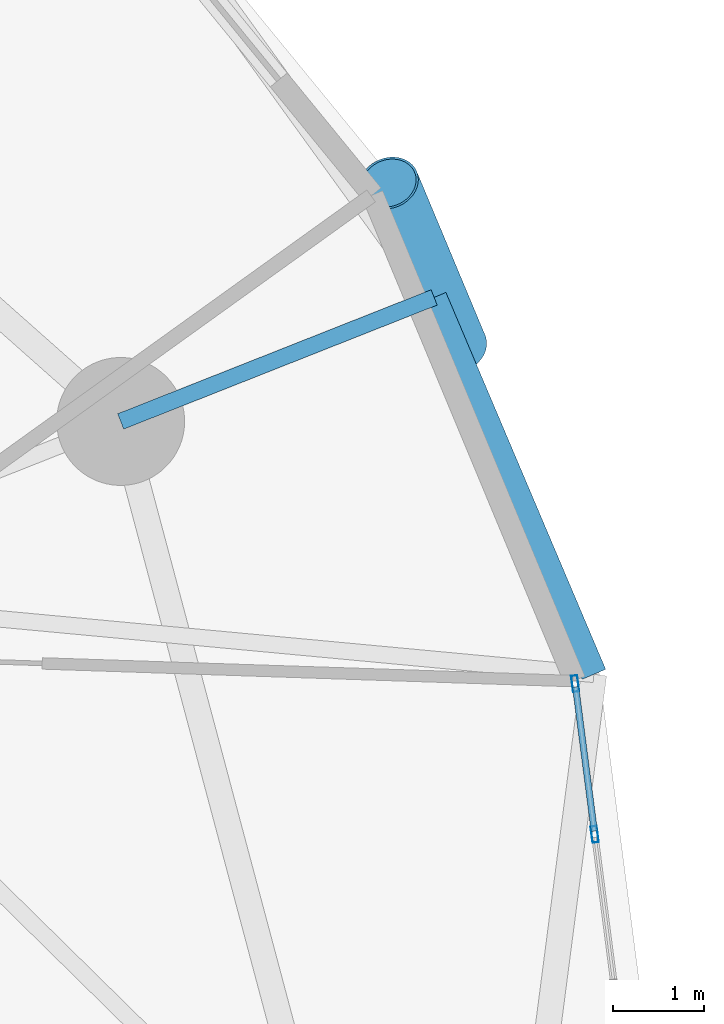
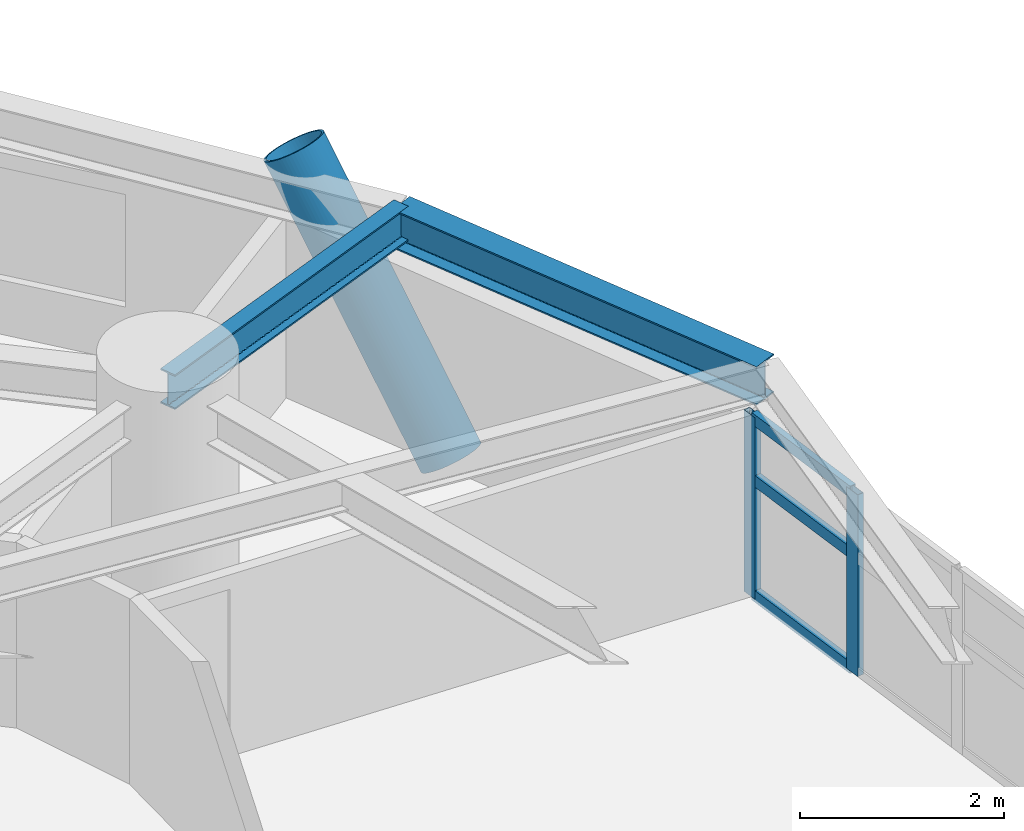
# One storey, part 4 of 17: 6 members, 2 beams, 1 element without a shape of its own.
"""IFC4 building model written with IfcOpenShell, lengths in metres."""

import ifcopenshell
import ifcopenshell.guid

model = None  # the IFC model being written
_history = None  # IfcOwnerHistory: only IFC2X3 demands one
_inside = {}  # id of a spatial element -> (the spatial element, [elements in it])
_under = {}  # id of a project, library or spatial element -> (it, [spatial elements below it])
_declared = {}  # id of a project -> (the project, [libraries it declares])
_typed = {}  # id of a type object -> (the type object, [elements of that type])
_made_of = {}  # id of a material, layer set ... -> (it, [elements and type objects made of it])


def new_model(schema):
    """Start an empty IFC model of exactly this schema.

    Asked for "IFC4X3", IfcOpenShell would pick the latest addendum, in which some entities
    have other attributes; the version numbers below select the first issue.
    IFC2X3 requires an IfcOwnerHistory on every rooted entity: one is made here for all.
    """
    global model, _history
    if schema == "IFC4X3":
        model = ifcopenshell.file(schema_version=(4, 3, 0, 0))
    else:
        model = ifcopenshell.file(schema=schema)
    _inside.clear()
    _under.clear()
    _declared.clear()
    _typed.clear()
    _made_of.clear()
    _history = None
    if model.schema == "IFC2X3":
        org = make("IfcOrganization", Name="unknown")
        user = make(
            "IfcPersonAndOrganization",
            ThePerson=make("IfcPerson", FamilyName="unknown"),
            TheOrganization=org,
        )
        app = make(
            "IfcApplication",
            ApplicationDeveloper=org,
            Version="unknown",
            ApplicationFullName="unknown",
            ApplicationIdentifier="unknown",
        )
        _history = make(
            "IfcOwnerHistory",
            OwningUser=user,
            OwningApplication=app,
            ChangeAction="ADDED",
            CreationDate=0,
        )
    return model


def make(cls, **values):
    """One entity of the class cls with the attributes given. An attribute that is None is left unset."""
    return model.create_entity(
        cls, **{name: value for name, value in values.items() if value is not None}
    )


def rooted(cls, **values):
    """An entity with a GlobalId (a new one), such as an element, a storey or a relation."""
    return make(cls, GlobalId=ifcopenshell.guid.new(), OwnerHistory=_history, **values)


def si_unit(unit_type, name, prefix=None):
    """IfcSIUnit, for example si_unit("LENGTHUNIT", "METRE", prefix="MILLI")."""
    return make("IfcSIUnit", UnitType=unit_type, Prefix=prefix, Name=name)


def assignment(units):
    """IfcUnitAssignment: the units of a project."""
    return None if units is None else make("IfcUnitAssignment", Units=units)


def point(xyz):
    """IfcCartesianPoint."""
    return None if xyz is None else make("IfcCartesianPoint", Coordinates=xyz)


def direction(xyz):
    """IfcDirection."""
    return None if xyz is None else make("IfcDirection", DirectionRatios=xyz)


def frame(location, z_axis=None, x_axis=None):
    """IfcAxis2Placement3D, a coordinate frame: its origin and axes. An axis left out is left unset."""
    return make(
        "IfcAxis2Placement3D",
        Location=point(location),
        Axis=direction(z_axis),
        RefDirection=direction(x_axis),
    )


def frame_2d(location, x_axis=None):
    """IfcAxis2Placement2D, a coordinate frame in the plane: its origin and x axis."""
    return make(
        "IfcAxis2Placement2D", Location=point(location), RefDirection=direction(x_axis)
    )


def origin():
    """The frame at (0, 0, 0) with its axes left unset."""
    return frame((0.0, 0.0, 0.0))


def origin_2d():
    """The frame at (0, 0) in the plane with its x axis left unset."""
    return frame_2d((0.0, 0.0))


def place(relative_to, where):
    """IfcLocalPlacement: puts the frame where relative to a parent placement (None: the world)."""
    return make(
        "IfcLocalPlacement", PlacementRelTo=relative_to, RelativePlacement=where
    )


def context(
    kind, dimensions, precision=None, world=None, true_north=None, identifier=None
):
    """IfcGeometricRepresentationContext, for example the 3D "Model" context."""
    return make(
        "IfcGeometricRepresentationContext",
        ContextIdentifier=identifier,
        ContextType=kind,
        CoordinateSpaceDimension=dimensions,
        Precision=precision,
        WorldCoordinateSystem=world,
        TrueNorth=true_north,
    )


def subcontext(parent, identifier, kind, view, scale=None):
    """IfcGeometricRepresentationSubContext, for example "Body" below "Model"."""
    return make(
        "IfcGeometricRepresentationSubContext",
        ContextIdentifier=identifier,
        ContextType=kind,
        ParentContext=parent,
        TargetScale=scale,
        TargetView=view,
    )


def project(units=None, contexts=None):
    """IfcProject with its units and contexts."""
    return rooted(
        "IfcProject",
        Name="project",
        RepresentationContexts=contexts,
        UnitsInContext=assignment(units),
    )


def spatial(cls, under=None, at=None, **own):
    """A site, building, storey or space (cls), placed at a placement, below another one or the project."""
    s = rooted(cls, ObjectPlacement=at, **own)
    if under is not None:
        _under.setdefault(under.id(), (under, []))[1].append(s)
    return s


def profile(cls, at=None, kind="AREA", **sizes):
    """A parametric profile (cls). Its sizes go by their IFC names, for example OverallWidth=200.0."""
    return make(cls, ProfileType=kind, Position=at, **sizes)


def hollow_rectangle(**sizes):
    """IfcRectangleHollowProfileDef."""
    return profile("IfcRectangleHollowProfileDef", **sizes)


def hollow_circle(**sizes):
    """IfcCircleHollowProfileDef."""
    return profile("IfcCircleHollowProfileDef", **sizes)


def i_section(**sizes):
    """IfcIShapeProfileDef."""
    return profile("IfcIShapeProfileDef", **sizes)


def extrude(swept, where, along, depth):
    """IfcExtrudedAreaSolid: the profile swept, set in the frame where, extruded along a direction by depth."""
    return make(
        "IfcExtrudedAreaSolid",
        SweptArea=swept,
        Position=where,
        ExtrudedDirection=direction(along),
        Depth=depth,
    )


def shape(context_of_items, identifier, shape_type, items):
    """IfcShapeRepresentation: the items that make up one representation, for example the "Body"."""
    return make(
        "IfcShapeRepresentation",
        ContextOfItems=context_of_items,
        RepresentationIdentifier=identifier,
        RepresentationType=shape_type,
        Items=items,
    )


def material(Name=None, Category=None):
    """IfcMaterial."""
    return make("IfcMaterial", Name=Name, Category=Category)


def layer(
    of_material, thickness, ventilated=None, Name=None, Category=None, Priority=None
):
    """IfcMaterialLayer: one layer of a wall or slab, of a material (None: an air gap)."""
    return make(
        "IfcMaterialLayer",
        Material=of_material,
        LayerThickness=thickness,
        IsVentilated=ventilated,
        Name=Name,
        Category=Category,
        Priority=Priority,
    )


def layer_set(layers, Name=None):
    """IfcMaterialLayerSet."""
    return make("IfcMaterialLayerSet", MaterialLayers=layers, LayerSetName=Name)


def material_profile(
    of_material, cross_section, Name=None, Category=None, Priority=None
):
    """IfcMaterialProfile: a cross section and its material."""
    return make(
        "IfcMaterialProfile",
        Name=Name,
        Material=of_material,
        Profile=cross_section,
        Priority=Priority,
        Category=Category,
    )


def profile_set(profiles, Name=None, composite=None):
    """IfcMaterialProfileSet."""
    return make(
        "IfcMaterialProfileSet",
        Name=Name,
        MaterialProfiles=profiles,
        CompositeProfile=composite,
    )


def made_of(thing, what):
    """Note that an element or type object is made of a material, layer set ...; save() writes the relation."""
    if what is not None:
        _made_of.setdefault(what.id(), (what, []))[1].append(thing)
    return thing


def type_object(cls, material=None, **own):
    """A type object (cls), such as IfcWallType, which elements share."""
    return made_of(rooted(cls, **own), material)


def element(
    cls,
    number,
    at=None,
    inside=None,
    cuts=None,
    type_object=None,
    material=None,
    context=None,
    identifier="Body",
    shape_type=None,
    held_by="IfcProductDefinitionShape",
    body=None,
    shapes=None,
    **own,
):
    """One element of the class cls, such as IfcWall. Its Tag is "e" and its number.

    at: its placement. inside: the storey or other place that contains it. cuts: it is an
    opening in that element (IfcRelVoidsElement). A single representation is given by context,
    identifier, shape_type and body (its items); several are given by shapes. held_by: the class
    of the entity that holds the representations. save() writes the other relations.
    """
    e = rooted(cls, Tag="e%d" % number, ObjectPlacement=at, **own)
    if body is not None:
        shapes = [shape(context, identifier, shape_type, body)]
    if shapes is not None:
        e.Representation = make(held_by, Representations=shapes)
    if inside is not None:
        _inside.setdefault(inside.id(), (inside, []))[1].append(e)
    if cuts is not None:
        rooted(
            "IfcRelVoidsElement", RelatingBuildingElement=cuts, RelatedOpeningElement=e
        )
    if type_object is not None:
        _typed.setdefault(type_object.id(), (type_object, []))[1].append(e)
    return made_of(e, material)


def aggregate(whole, parts):
    """IfcRelAggregates: a whole, such as a stair, and the parts it consists of."""
    return rooted("IfcRelAggregates", RelatingObject=whole, RelatedObjects=parts)


def save(model, path):
    """Write the relations noted so far, then the file.

    IfcRelAggregates (storeys below a building ...), IfcRelContainedInSpatialStructure (elements
    in a storey), IfcRelDefinesByType, IfcRelAssociatesMaterial and IfcRelDeclares: one each for
    every whole, place, type object, material and project.
    """
    for whole, parts in _under.values():
        aggregate(whole, parts)
    for where, things in _inside.values():
        rooted(
            "IfcRelContainedInSpatialStructure",
            RelatedElements=things,
            RelatingStructure=where,
        )
    for kind, things in _typed.values():
        rooted("IfcRelDefinesByType", RelatedObjects=things, RelatingType=kind)
    for what, things in _made_of.values():
        rooted("IfcRelAssociatesMaterial", RelatedObjects=things, RelatingMaterial=what)
    for by, libraries in _declared.values():
        rooted("IfcRelDeclares", RelatingContext=by, RelatedDefinitions=libraries)
    model.write(path)


model = new_model("IFC4")

# Units and contexts
model_context = context("Model", 3, precision=1e-05, world=origin(), true_north=direction((0.0, 1.0)))
body_context = subcontext(model_context, "Body", "Model", "MODEL_VIEW")
ifc_project = project(units=[si_unit("LENGTHUNIT", "METRE"), si_unit("AREAUNIT", "SQUARE_METRE"), si_unit("VOLUMEUNIT", "CUBIC_METRE"), si_unit("PLANEANGLEUNIT", "RADIAN"), si_unit("MASSUNIT", "GRAM", prefix="KILO")], contexts=[model_context])

# Site, building, storey
site_placement = place(None, origin())
site = spatial("IfcSite", under=ifc_project, at=site_placement, CompositionType="ELEMENT")
building_placement = place(site_placement, origin())
building = spatial("IfcBuilding", under=site, at=building_placement, Name="Cununo Teusaquillo Station Towers", CompositionType="ELEMENT")
storey_placement = place(building_placement, frame((0.0, 0.0, 81.7900390625)))
storey = spatial("IfcBuildingStorey", under=building, at=storey_placement, Name="L25", CompositionType="ELEMENT", Elevation=81.7900390625)

# Beams
ifc_material_1 = material(Name="Steel ASTM A572 Grade 50", Category="steel")
ifc_material_profile_1 = material_profile(ifc_material_1, i_section(OverallWidth=0.180908203125, OverallDepth=0.4169921875, WebThickness=0.010986328125, FlangeThickness=0.018310546875, FilletRadius=0.012939453125, at=origin_2d()), Name="W16X57")
ifc_profile_set_1 = profile_set([ifc_material_profile_1], Name="Steel ASTM A572 Grade 50")
beam_type_1 = type_object("IfcBeamType", Name="BM-RAD-G2", PredefinedType="BEAM", material=ifc_profile_set_1)
beam_1_placement = place(storey_placement, frame((26.347412109375, 33.228515625, 2.46142578125), z_axis=(0.929861788731, 0.367909029323, 0.0), x_axis=(-0.367909029323, 0.929861788731, 0.0)))
element("IfcBeam", 1, at=beam_1_placement, inside=storey, type_object=beam_type_1, Name="L25 Tower A Perimeter Overhang Girder 02B", PredefinedType="BEAM", context=body_context, shape_type="SweptSolid", body=[
    extrude(i_section(OverallWidth=0.180908203125, OverallDepth=0.4169921875, WebThickness=0.010986328125, FlangeThickness=0.018310546875, FilletRadius=0.012939453125, at=origin_2d()), origin(), (0.0, 0.0, 1.0), 3.690185546875),
])
ifc_material_2 = material(Name="Steel ASTM A572 Grade 50", Category="steel")
ifc_material_profile_2 = material_profile(ifc_material_2, i_section(OverallWidth=0.280029296875, OverallDepth=0.462890625, WebThickness=0.0107421875, FlangeThickness=0.017333984375, FilletRadius=0.013916015625, at=origin_2d()), Name="W18X76")
ifc_profile_set_2 = profile_set([ifc_material_profile_2], Name="Steel ASTM A572 Grade 50")
beam_type_2 = type_object("IfcBeamType", Name="BM-RING-Z2", PredefinedType="SPANDREL", material=ifc_profile_set_2)
beam_2_placement = place(storey_placement, frame((31.527587890625, 30.4609375, 2.4384765625), z_axis=(-0.390299356049, 0.920688010494, 0.0), x_axis=(-0.920688010494, -0.390299356049, 0.0)))
element("IfcBeam", 2, at=beam_2_placement, inside=storey, type_object=beam_type_2, Name="L25 Tower A Spandrel Ring Beam 02", PredefinedType="SPANDREL", context=body_context, shape_type="SweptSolid", body=[
    extrude(i_section(OverallWidth=0.280029296875, OverallDepth=0.462890625, WebThickness=0.0107421875, FlangeThickness=0.017333984375, FilletRadius=0.013916015625, at=origin_2d()), origin(), (0.0, 0.0, 1.0), 4.480712890625),
])

# Curtain wall, members
ifc_material_3 = material(Name="Ceramic-fritted dark low-E double glazing", Category="glass")
ifc_layer = layer(ifc_material_3, 0.179931640625)
ifc_layer_set = layer_set([ifc_layer], Name="Ceramic-fritted dark low-E double glazing")
curtain_wall_type = type_object("IfcCurtainWallType", Name="CW-SYS-04", PredefinedType="USERDEFINED", material=ifc_layer_set)
curtain_wall_placement = place(storey_placement, origin())
curtain_wall = element("IfcCurtainWall", 3, at=curtain_wall_placement, inside=storey, type_object=curtain_wall_type, Name="L25 Tower A Facade Curtain Wall C00", ObjectType="FRITTED GLAZING", PredefinedType="USERDEFINED")
ifc_material_4 = material(Name="Anodised dark bronze aluminium EN AW-6063-T6", Category="aluminium")
ifc_material_profile_3 = material_profile(ifc_material_4, hollow_rectangle(XDim=0.070068359375, YDim=0.179931640625, WallThickness=0.00390625, at=origin_2d()), Name="CW-MULL-70x180")
ifc_profile_set_3 = profile_set([ifc_material_profile_3], Name="Anodised dark bronze aluminium EN AW-6063-T6")
member_type_1 = type_object("IfcMemberType", Name="CWM-180", PredefinedType="MULLION", material=ifc_profile_set_3)
member_1_placement = place(storey_placement, frame((31.322998046875, 30.3583984375, 0.0), z_axis=(0.0, 0.0, 1.0), x_axis=(0.991730764367, 0.128335852387, 0.0)))
member_1 = element("IfcMember", 4, at=member_1_placement, type_object=member_type_1, Name="CW-04 mullion 1", PredefinedType="MULLION", context=body_context, shape_type="SweptSolid", body=[
    extrude(hollow_rectangle(XDim=0.070068359375, YDim=0.179931640625, WallThickness=0.00390625, at=origin_2d()), origin(), (0.0, 0.0, 1.0), 2.178955078125),
])
member_2_placement = place(storey_placement, frame((31.5361328125, 28.709716796875, 0.0), z_axis=(0.0, 0.0, 1.0), x_axis=(0.991730764367, 0.128335852387, 0.0)))
member_2 = element("IfcMember", 5, at=member_2_placement, type_object=member_type_1, Name="CW-04 mullion 2", PredefinedType="MULLION", context=body_context, shape_type="SweptSolid", body=[
    extrude(hollow_rectangle(XDim=0.070068359375, YDim=0.179931640625, WallThickness=0.00390625, at=origin_2d()), origin(), (0.0, 0.0, 1.0), 2.178955078125),
])
ifc_material_5 = material(Name="Anodised dark bronze aluminium EN AW-6063-T6", Category="aluminium")
ifc_material_profile_4 = material_profile(ifc_material_5, hollow_rectangle(XDim=0.070068359375, YDim=0.139892578125, WallThickness=0.00390625, at=origin_2d()), Name="CW-TRAN-70x140")
ifc_profile_set_4 = profile_set([ifc_material_profile_4], Name="Anodised dark bronze aluminium EN AW-6063-T6")
member_type_2 = type_object("IfcMemberType", Name="CWT-140", PredefinedType="USERDEFINED", material=ifc_profile_set_4)
member_3_placement = place(storey_placement, frame((31.327392578125, 30.323486328125, 0.034912109375), z_axis=(0.128336210724, -0.991730717996, 0.0), x_axis=(0.991730717996, 0.128336210724, 0.0)))
member_3 = element("IfcMember", 6, at=member_3_placement, type_object=member_type_2, Name="CW-04 transom 1.1", ObjectType="TRANSOM", PredefinedType="USERDEFINED", context=body_context, shape_type="SweptSolid", body=[
    extrude(hollow_rectangle(XDim=0.070068359375, YDim=0.139892578125, WallThickness=0.00390625, at=origin_2d()), origin(), (0.0, 0.0, 1.0), 1.59228515625),
])
member_4_placement = place(storey_placement, frame((31.327392578125, 30.323486328125, 1.416015625), z_axis=(0.128336210724, -0.991730717996, 0.0), x_axis=(0.991730717996, 0.128336210724, 0.0)))
member_4 = element("IfcMember", 7, at=member_4_placement, type_object=member_type_2, Name="CW-04 transom 1.2", ObjectType="TRANSOM", PredefinedType="USERDEFINED", context=body_context, shape_type="SweptSolid", body=[
    extrude(hollow_rectangle(XDim=0.070068359375, YDim=0.139892578125, WallThickness=0.00390625, at=origin_2d()), origin(), (0.0, 0.0, 1.0), 1.59228515625),
])
member_5_placement = place(storey_placement, frame((31.327392578125, 30.323486328125, 2.14404296875), z_axis=(0.128336210724, -0.991730717996, 0.0), x_axis=(0.991730717996, 0.128336210724, 0.0)))
member_5 = element("IfcMember", 8, at=member_5_placement, type_object=member_type_2, Name="CW-04 transom 1.3", ObjectType="TRANSOM", PredefinedType="USERDEFINED", context=body_context, shape_type="SweptSolid", body=[
    extrude(hollow_rectangle(XDim=0.070068359375, YDim=0.139892578125, WallThickness=0.00390625, at=origin_2d()), origin(), (0.0, 0.0, 1.0), 1.59228515625),
])
aggregate(curtain_wall, [member_1, member_2, member_3, member_4, member_5])

# Member
ifc_material_6 = material(Name="Steel EN 10025-2 S355J2", Category="steel")
ifc_material_profile_5 = material_profile(ifc_material_6, hollow_circle(Radius=0.330078125, WallThickness=0.02490234375, at=origin_2d()), Name="CHS 660x25")
ifc_profile_set_5 = profile_set([ifc_material_profile_5], Name="Steel EN 10025-2 S355J2")
member_type_3 = type_object("IfcMemberType", Name="MBR-DIAG-Z2", PredefinedType="BRACE", material=ifc_profile_set_5)
member_6_placement = place(storey_placement, frame((30.031494140625, 34.0458984375, -0.14013671875), z_axis=(-0.213867845781, 0.51230594575, 0.831747054392), x_axis=(-0.922816406816, -0.385240028179, 0.0)))
element("IfcMember", 9, at=member_6_placement, inside=storey, type_object=member_type_3, Name="L25 Tower A Folded-Zigzag Diagrid Tube C01", PredefinedType="BRACE", context=body_context, shape_type="SweptSolid", body=[
    extrude(hollow_circle(Radius=0.330078125, WallThickness=0.02490234375, at=origin_2d()), origin(), (0.0, 0.0, 1.0), 3.498779296875),
])

save(model, "model.ifc")
